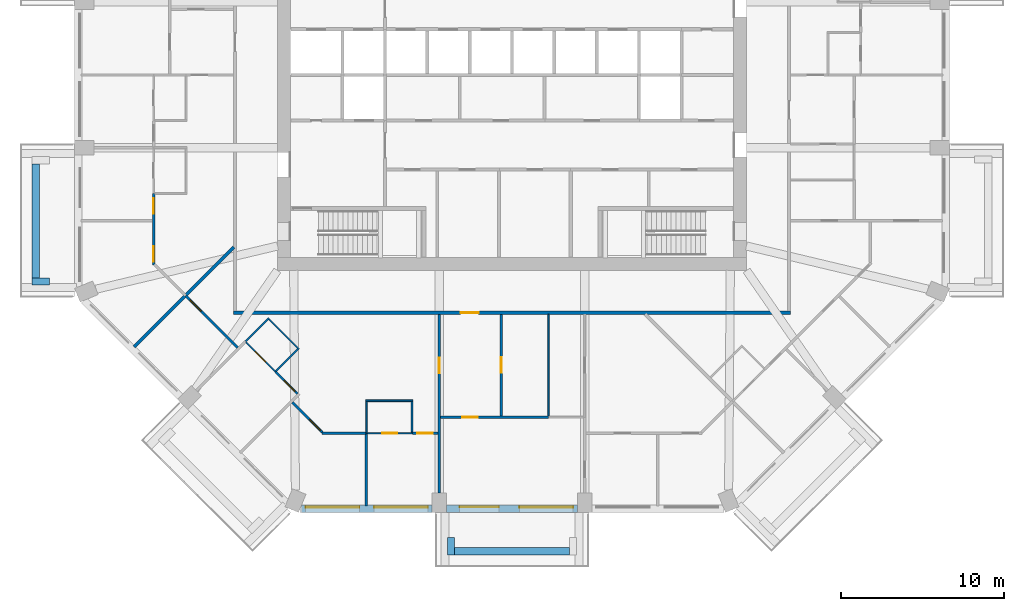
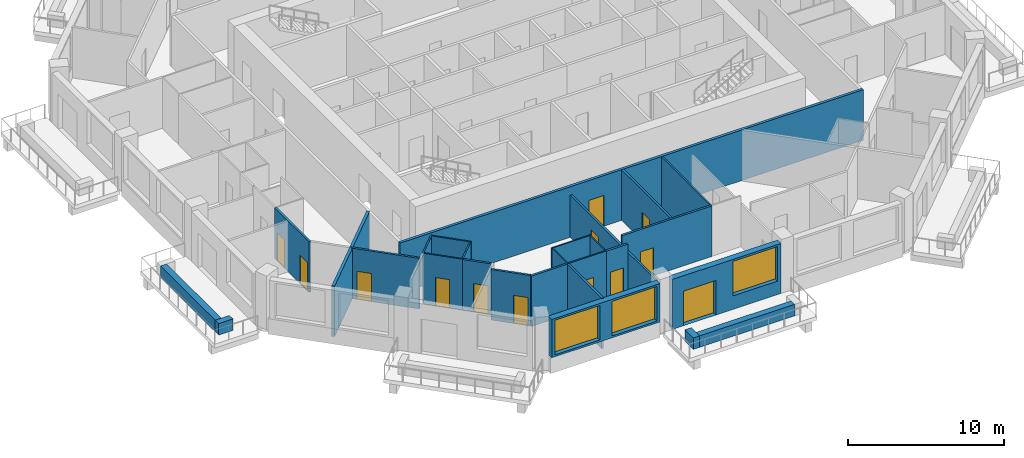
# One storey, part 3 of 13: 27 walls, 13 doors, 3 windows, 16 openings.
"""IFC4 building model written with IfcOpenShell, lengths in metres."""

from ifc_helpers import new_model, si_unit, direction, frame, frame_2d, origin, place, context, subcontext, project, spatial, rectangle, extrude, material, layer, layer_set, type_object, element, fill, save


model = new_model("IFC4")

# Units and contexts
model_context = context("Model", 3, precision=1e-05, world=origin(), true_north=direction((0.0, 1.0)))
body_context = subcontext(model_context, "Body", "Model", "MODEL_VIEW")
ifc_project = project(units=[si_unit("LENGTHUNIT", "METRE"), si_unit("AREAUNIT", "SQUARE_METRE"), si_unit("VOLUMEUNIT", "CUBIC_METRE"), si_unit("PLANEANGLEUNIT", "RADIAN"), si_unit("MASSUNIT", "GRAM", prefix="KILO")], contexts=[model_context])

# Site, building, storey
site_placement = place(None, origin())
site = spatial("IfcSite", under=ifc_project, at=site_placement, CompositionType="ELEMENT")
building_placement = place(site_placement, origin())
building = spatial("IfcBuilding", under=site, at=building_placement, Name="Msitu Wima Residences", CompositionType="ELEMENT")
storey_placement = place(building_placement, frame((0.0, 0.0, 135.89990234375)))
storey = spatial("IfcBuildingStorey", under=building, at=storey_placement, Name="L31", CompositionType="ELEMENT", Elevation=135.89990234375)

# Walls
ifc_material_1 = material(Name="Facing brick")
ifc_layer_1 = layer(ifc_material_1, 0.06494140625, Name="Facing brick")
ifc_material_2 = material(Name="Concrete C40/50", Category="concrete")
ifc_layer_2 = layer(ifc_material_2, 0.156005859375, Name="Concrete C40/50")
ifc_material_3 = material(Name="Waterproofing membrane")
ifc_layer_3 = layer(ifc_material_3, 0.00390625, Name="Waterproofing membrane")
ifc_material_4 = material(Name="Planting soil and planting")
ifc_layer_4 = layer(ifc_material_4, 0.22509765625, Name="Planting soil and planting")
ifc_layer_set_1 = layer_set([ifc_layer_1, ifc_layer_2, ifc_layer_3, ifc_layer_4], Name="Concrete C40/50")
wall_type_1 = type_object("IfcWallType", Name="Balcony planter PLANTER PL450", PredefinedType="USERDEFINED", material=ifc_layer_set_1)
wall_1_placement = place(storey_placement, frame((-29.22509765625, -5.468505859375, 0.0), z_axis=(0.0, 0.0, 1.0), x_axis=(0.0, -1.0, 0.0)))
element("IfcWall", 1, at=wall_1_placement, inside=storey, type_object=wall_type_1, Name="Balcony planter W2 L31", ObjectType="PLANTER", PredefinedType="USERDEFINED", context=body_context, shape_type="SweptSolid", body=[
    extrude(rectangle(XDim=6.9873046875, YDim=0.449951171875, at=frame_2d((3.49365234375, 0.0))), origin(), (0.0, 0.0, 1.0), 0.900146484375),
])
wall_2_placement = place(storey_placement, frame((-28.39990234375, -12.680908203125, 0.0), z_axis=(0.0, 0.0, 1.0), x_axis=(-1.0, 0.0, 0.0)))
element("IfcWall", 2, at=wall_2_placement, inside=storey, type_object=wall_type_1, Name="Balcony planter W2 L31", ObjectType="PLANTER", PredefinedType="USERDEFINED", context=body_context, shape_type="SweptSolid", body=[
    extrude(rectangle(XDim=1.050048828125, YDim=0.449951171875, at=frame_2d((0.52490234375, 0.0))), origin(), (0.0, 0.0, 1.0), 0.900146484375),
])
wall_3_placement = place(storey_placement, frame((-3.5185546875, -29.22509765625, 0.0), z_axis=(0.0, 0.0, 1.0), x_axis=(1.0, 0.0, 0.0)))
element("IfcWall", 3, at=wall_3_placement, inside=storey, type_object=wall_type_1, Name="Balcony planter S1 L31", ObjectType="PLANTER", PredefinedType="USERDEFINED", context=body_context, shape_type="SweptSolid", body=[
    extrude(rectangle(XDim=7.037109375, YDim=0.449951171875, at=frame_2d((3.5185546875, 0.0))), origin(), (0.0, 0.0, 1.0), 0.900146484375),
])
wall_4_placement = place(storey_placement, frame((-3.74365234375, -28.39990234375, 0.0), z_axis=(0.0, 0.0, 1.0), x_axis=(0.0, -1.0, 0.0)))
element("IfcWall", 4, at=wall_4_placement, inside=storey, type_object=wall_type_1, Name="Balcony planter S1 L31", ObjectType="PLANTER", PredefinedType="USERDEFINED", context=body_context, shape_type="SweptSolid", body=[
    extrude(rectangle(XDim=1.050048828125, YDim=0.449951171875, at=frame_2d((0.52490234375, 0.0))), origin(), (0.0, 0.0, 1.0), 0.900146484375),
])

# Wall, openings, windows
ifc_material_5 = material(Name="Brick (red buff mix)", Category="masonry")
ifc_layer_5 = layer(ifc_material_5, 0.449951171875)
ifc_layer_set_2 = layer_set([ifc_layer_5], Name="Brick (red buff mix)")
wall_type_2 = type_object("IfcWallType", Name="Brick infill wall BW450", PredefinedType="SOLIDWALL", material=ifc_layer_set_2)
wall_5_placement = place(storey_placement, frame((-12.918701171875, -26.625, 0.900146484375), z_axis=(0.0, 0.0, 1.0), x_axis=(1.0, 0.0, 0.0)))
wall_5 = element("IfcWall", 5, at=wall_5_placement, inside=storey, type_object=wall_type_2, Name="Brick infill wall L31 S0", PredefinedType="SOLIDWALL", context=body_context, shape_type="SweptSolid", body=[
    extrude(rectangle(XDim=8.0, YDim=0.449951171875, at=frame_2d((4.0, 0.0))), origin(), (0.0, 0.0, 1.0), 3.0),
])
opening_1_placement = place(wall_5_placement, frame((0.25, 0.0, 0.14990234375)))
opening_1 = element("IfcOpeningElement", 6, at=opening_1_placement, cuts=wall_5, Name="Opening W30-32.016", PredefinedType="OPENING", context=body_context, shape_type="SweptSolid", body=[
    extrude(rectangle(XDim=3.300048828125, YDim=2.699951171875, at=frame_2d((1.64990234375, 1.35009765625))), frame((0.0, 0.23486328125, 0.0), z_axis=(0.0, -1.0, 0.0), x_axis=(1.0, 0.0, 0.0)), (0.0, 0.0, 1.0), 0.469970703125),
])
opening_2_placement = place(wall_5_placement, frame((4.4501953125, 0.0, 0.14990234375)))
opening_2 = element("IfcOpeningElement", 7, at=opening_2_placement, cuts=wall_5, Name="Opening W30-32.017", PredefinedType="OPENING", context=body_context, shape_type="SweptSolid", body=[
    extrude(rectangle(XDim=3.300048828125, YDim=2.699951171875, at=frame_2d((1.64990234375, 1.35009765625))), frame((0.0, 0.23486328125, 0.0), z_axis=(0.0, -1.0, 0.0), x_axis=(1.0, 0.0, 0.0)), (0.0, 0.0, 1.0), 0.469970703125),
])
ifc_material_6 = material(Name="Anodised aluminium, bronze finish, clear low-emissivity double glazing", Category="aluminium")
window_type = type_object("IfcWindowType", Name="Window W3300x2700", PartitioningType="DOUBLE_PANEL_VERTICAL", PredefinedType="WINDOW", material=ifc_material_6)
window_1_placement = place(opening_1_placement, origin())
window_1 = element("IfcWindow", 8, at=window_1_placement, inside=storey, type_object=window_type, Name="Window L31 S0.1", OverallHeight=2.699951171875, OverallWidth=3.300048828125, PartitioningType="SINGLE_PANEL", PredefinedType="WINDOW", context=body_context, shape_type="SweptSolid", body=[
    extrude(rectangle(XDim=3.300048828125, YDim=2.699951171875, at=frame_2d((1.64990234375, 1.35009765625))), frame((0.0, 0.135009765625, 0.0), z_axis=(0.0, -1.0, 0.0), x_axis=(1.0, 0.0, 0.0)), (0.0, 0.0, 1.0), 0.06005859375),
])
fill(opening_1, window_1)
window_2_placement = place(opening_2_placement, origin())
window_2 = element("IfcWindow", 9, at=window_2_placement, inside=storey, type_object=window_type, Name="Window L31 S0.2", OverallHeight=2.699951171875, OverallWidth=3.300048828125, PartitioningType="SINGLE_PANEL", PredefinedType="WINDOW", context=body_context, shape_type="SweptSolid", body=[
    extrude(rectangle(XDim=3.300048828125, YDim=2.699951171875, at=frame_2d((1.64990234375, 1.35009765625))), frame((0.0, 0.135009765625, 0.0), z_axis=(0.0, -1.0, 0.0), x_axis=(1.0, 0.0, 0.0)), (0.0, 0.0, 1.0), 0.06005859375),
])
fill(opening_2, window_2)

# Wall, openings, door, window
wall_6_placement = place(storey_placement, frame((-4.0185546875, -26.625, 0.0), z_axis=(0.0, 0.0, 1.0), x_axis=(1.0, 0.0, 0.0)))
wall_6 = element("IfcWall", 10, at=wall_6_placement, inside=storey, type_object=wall_type_2, Name="Brick infill wall L31 S1", PredefinedType="SOLIDWALL", context=body_context, shape_type="SweptSolid", body=[
    extrude(rectangle(XDim=8.037109375, YDim=0.449951171875, at=frame_2d((4.0185546875, 0.0))), origin(), (0.0, 0.0, 1.0), 3.900146484375),
])
opening_3_placement = place(wall_6_placement, frame((0.809326171875, 0.0, 0.0)))
opening_3 = element("IfcOpeningElement", 11, at=opening_3_placement, cuts=wall_6, Name="Opening D30-32.006", PredefinedType="OPENING", context=body_context, shape_type="SweptSolid", body=[
    extrude(rectangle(XDim=2.39990234375, YDim=2.699951171875, at=frame_2d((1.199951171875, 1.35009765625))), frame((0.0, 0.23486328125, 0.0), z_axis=(0.0, -1.0, 0.0), x_axis=(1.0, 0.0, 0.0)), (0.0, 0.0, 1.0), 0.469970703125),
])
opening_4_placement = place(wall_6_placement, frame((4.46875, 0.0, 1.050048828125)))
opening_4 = element("IfcOpeningElement", 12, at=opening_4_placement, cuts=wall_6, Name="Opening W30-32.018", PredefinedType="OPENING", context=body_context, shape_type="SweptSolid", body=[
    extrude(rectangle(XDim=3.300048828125, YDim=2.699951171875, at=frame_2d((1.64990234375, 1.35009765625))), frame((0.0, 0.23486328125, 0.0), z_axis=(0.0, -1.0, 0.0), x_axis=(1.0, 0.0, 0.0)), (0.0, 0.0, 1.0), 0.469970703125),
])
door_type_1 = type_object("IfcDoorType", Name="Balcony door D2400x2700", OperationType="SLIDING_TO_LEFT", PredefinedType="DOOR", material=ifc_material_6)
door_1_placement = place(opening_3_placement, origin())
door_1 = element("IfcDoor", 13, at=door_1_placement, inside=storey, type_object=door_type_1, Name="Balcony door L31 S1", OperationType="SINGLE_SWING_LEFT", OverallHeight=2.699951171875, OverallWidth=2.39990234375, PredefinedType="DOOR", context=body_context, shape_type="SweptSolid", body=[
    extrude(rectangle(XDim=2.39990234375, YDim=2.699951171875, at=frame_2d((1.199951171875, 1.35009765625))), frame((0.0, 0.1298828125, 0.0), z_axis=(0.0, -1.0, 0.0), x_axis=(1.0, 0.0, 0.0)), (0.0, 0.0, 1.0), 0.050048828125),
])
fill(opening_3, door_1)
window_3_placement = place(opening_4_placement, origin())
window_3 = element("IfcWindow", 14, at=window_3_placement, inside=storey, type_object=window_type, Name="Window L31 S1.2", OverallHeight=2.699951171875, OverallWidth=3.300048828125, PartitioningType="SINGLE_PANEL", PredefinedType="WINDOW", context=body_context, shape_type="SweptSolid", body=[
    extrude(rectangle(XDim=3.300048828125, YDim=2.699951171875, at=frame_2d((1.64990234375, 1.35009765625))), frame((0.0, 0.135009765625, 0.0), z_axis=(0.0, -1.0, 0.0), x_axis=(1.0, 0.0, 0.0)), (0.0, 0.0, 1.0), 0.06005859375),
])
fill(opening_4, window_3)

# Wall, opening, door
ifc_material_7 = material(Name="Plaster")
ifc_layer_6 = layer(ifc_material_7, 0.011962890625, Name="Plaster")
ifc_material_8 = material(Name="Concrete blockwork", Category="masonry")
ifc_layer_7 = layer(ifc_material_8, 0.176025390625, Name="Concrete blockwork")
ifc_layer_8 = layer(ifc_material_7, 0.011962890625, Name="Plaster")
ifc_layer_set_3 = layer_set([ifc_layer_6, ifc_layer_7, ifc_layer_8], Name="Concrete blockwork")
wall_type_3 = type_object("IfcWallType", Name="Corridor wall FW200", PredefinedType="PARTITIONING", material=ifc_layer_set_3)
wall_7_placement = place(storey_placement, frame((-17.10009765625, -14.60009765625, 0.0), z_axis=(0.0, 0.0, 1.0), x_axis=(1.0, 0.0, 0.0)))
wall_7 = element("IfcWall", 15, at=wall_7_placement, inside=storey, type_object=wall_type_3, Name="Corridor wall", PredefinedType="PARTITIONING", context=body_context, shape_type="SweptSolid", body=[
    extrude(rectangle(XDim=34.2001953125, YDim=0.199951171875, at=frame_2d((17.10009765625, 0.0))), origin(), (0.0, 0.0, 1.0), 3.9501953125),
])
opening_5_placement = place(wall_7_placement, frame((13.949951171875, 0.0, 0.0)))
opening_5 = element("IfcOpeningElement", 16, at=opening_5_placement, cuts=wall_7, Name="Opening D30-32.013", PredefinedType="OPENING", context=body_context, shape_type="SweptSolid", body=[
    extrude(rectangle(XDim=1.10009765625, YDim=2.39990234375, at=frame_2d((0.550048828125, 1.199951171875))), frame((0.0, 0.10986328125, 0.0), z_axis=(0.0, -1.0, 0.0), x_axis=(1.0, 0.0, 0.0)), (0.0, 0.0, 1.0), 0.219970703125),
])
ifc_material_9 = material(Name="Timber flush door, fire resisting, self-closing", Category="wood")
door_type_2 = type_object("IfcDoorType", Name="Flat entrance door D01 1100x2400", OperationType="SINGLE_SWING_LEFT", PredefinedType="DOOR", material=ifc_material_9)
door_2_placement = place(opening_5_placement, origin())
door_2 = element("IfcDoor", 17, at=door_2_placement, inside=storey, type_object=door_type_2, Name="Flat entrance door", OperationType="SINGLE_SWING_RIGHT", OverallHeight=2.39990234375, OverallWidth=1.10009765625, PredefinedType="DOOR", context=body_context, shape_type="SweptSolid", body=[
    extrude(rectangle(XDim=1.10009765625, YDim=2.39990234375, at=frame_2d((0.550048828125, 1.199951171875))), frame((0.0, 0.02490234375, 0.0), z_axis=(0.0, -1.0, 0.0), x_axis=(1.0, 0.0, 0.0)), (0.0, 0.0, 1.0), 0.050048828125),
])
fill(opening_5, door_2)

# Wall, openings, doors
ifc_layer_9 = layer(ifc_material_7, 0.011962890625, Name="Plaster")
ifc_layer_10 = layer(ifc_material_8, 0.1259765625, Name="Concrete blockwork")
ifc_layer_11 = layer(ifc_material_7, 0.011962890625, Name="Plaster")
ifc_layer_set_4 = layer_set([ifc_layer_9, ifc_layer_10, ifc_layer_11], Name="Concrete blockwork")
wall_type_4 = type_object("IfcWallType", Name="Partition PW150", PredefinedType="PARTITIONING", material=ifc_layer_set_4)
wall_8_placement = place(storey_placement, frame((-22.0, -11.658447265625, 0.0), z_axis=(0.0, 0.0, 1.0), x_axis=(0.0, 1.0, 0.0)))
wall_8 = element("IfcWall", 18, at=wall_8_placement, inside=storey, type_object=wall_type_4, Name="Partition", PredefinedType="PARTITIONING", context=body_context, shape_type="SweptSolid", body=[
    extrude(rectangle(XDim=4.389892578125, YDim=0.14990234375, at=frame_2d((2.19482421875, 0.0))), origin(), (0.0, 0.0, 1.0), 3.9501953125),
])
opening_6_placement = place(wall_8_placement, frame((3.14990234375, 0.0, 0.0)))
opening_6 = element("IfcOpeningElement", 19, at=opening_6_placement, cuts=wall_8, Name="Opening D30-32.048", PredefinedType="OPENING", context=body_context, shape_type="SweptSolid", body=[
    extrude(rectangle(XDim=0.949951171875, YDim=2.199951171875, at=frame_2d((0.47509765625, 1.10009765625))), frame((0.0, 0.0849609375, 0.0), z_axis=(0.0, -1.0, 0.0), x_axis=(1.0, 0.0, 0.0)), (0.0, 0.0, 1.0), 0.169921875),
])
opening_7_placement = place(wall_8_placement, frame((0.199951171875, 0.0, 0.0)))
opening_7 = element("IfcOpeningElement", 20, at=opening_7_placement, cuts=wall_8, Name="Opening D30-32.054", PredefinedType="OPENING", context=body_context, shape_type="SweptSolid", body=[
    extrude(rectangle(XDim=0.949951171875, YDim=2.199951171875, at=frame_2d((0.47509765625, 1.10009765625))), frame((0.0, 0.0849609375, 0.0), z_axis=(0.0, -1.0, 0.0), x_axis=(1.0, 0.0, 0.0)), (0.0, 0.0, 1.0), 0.169921875),
])
ifc_material_10 = material(Name="Timber flush door", Category="wood")
door_type_3 = type_object("IfcDoorType", Name="Room door D12 950x2200", OperationType="SINGLE_SWING_LEFT", PredefinedType="DOOR", material=ifc_material_10)
door_3_placement = place(opening_6_placement, origin())
door_3 = element("IfcDoor", 21, at=door_3_placement, inside=storey, type_object=door_type_3, Name="Room door", OperationType="SINGLE_SWING_LEFT", OverallHeight=2.199951171875, OverallWidth=0.949951171875, PredefinedType="DOOR", context=body_context, shape_type="SweptSolid", body=[
    extrude(rectangle(XDim=0.949951171875, YDim=2.199951171875, at=frame_2d((0.47509765625, 1.10009765625))), frame((0.0, 0.02490234375, 0.0), z_axis=(0.0, -1.0, 0.0), x_axis=(1.0, 0.0, 0.0)), (0.0, 0.0, 1.0), 0.050048828125),
])
fill(opening_6, door_3)
door_4_placement = place(opening_7_placement, origin())
door_4 = element("IfcDoor", 22, at=door_4_placement, inside=storey, type_object=door_type_3, Name="Room door", OperationType="SINGLE_SWING_RIGHT", OverallHeight=2.199951171875, OverallWidth=0.949951171875, PredefinedType="DOOR", context=body_context, shape_type="SweptSolid", body=[
    extrude(rectangle(XDim=0.949951171875, YDim=2.199951171875, at=frame_2d((0.47509765625, 1.10009765625))), frame((0.0, 0.02490234375, 0.0), z_axis=(0.0, -1.0, 0.0), x_axis=(1.0, 0.0, 0.0)), (0.0, 0.0, 1.0), 0.050048828125),
])
fill(opening_7, door_4)

# Wall, opening, door
wall_9_placement = place(storey_placement, frame((-20.040283203125, -13.543212890625, 0.0), z_axis=(0.0, 0.0, 1.0), x_axis=(0.707133793192, -0.707079768149, 0.0)))
wall_9 = element("IfcWall", 23, at=wall_9_placement, inside=storey, type_object=wall_type_4, Name="Partition", PredefinedType="PARTITIONING", context=body_context, shape_type="SweptSolid", body=[
    extrude(rectangle(XDim=4.51904296875, YDim=0.14990234375, at=frame_2d((2.259521484375, 0.0))), origin(), (0.0, 0.0, 1.0), 3.9501953125),
])
opening_8_placement = place(wall_9_placement, frame((0.39990234375, 0.0, 0.0)))
opening_8 = element("IfcOpeningElement", 24, at=opening_8_placement, cuts=wall_9, Name="Opening D30-32.060", PredefinedType="OPENING", context=body_context, shape_type="SweptSolid", body=[
    extrude(rectangle(XDim=0.949951171875, YDim=2.199951171875, at=frame_2d((0.47509765625, 1.10009765625))), frame((0.0, 0.0849609375, 0.0), z_axis=(0.0, -1.0, 0.0), x_axis=(1.0, 0.0, 0.0)), (0.0, 0.0, 1.0), 0.169921875),
])
door_5_placement = place(opening_8_placement, origin())
door_5 = element("IfcDoor", 25, at=door_5_placement, inside=storey, type_object=door_type_3, Name="Room door", OperationType="SINGLE_SWING_RIGHT", OverallHeight=2.199951171875, OverallWidth=0.949951171875, PredefinedType="DOOR", context=body_context, shape_type="SweptSolid", body=[
    extrude(rectangle(XDim=0.949951171875, YDim=2.199951171875, at=frame_2d((0.47509765625, 1.10009765625))), frame((0.0, 0.02490234375, 0.0), z_axis=(0.0, -1.0, 0.0), x_axis=(1.0, 0.0, 0.0)), (0.0, 0.0, 1.0), 0.050048828125),
])
fill(opening_8, door_5)

wall_10_placement = place(storey_placement, frame((-14.514892578125, -18.219970703125, 0.0), z_axis=(0.0, 0.0, 1.0), x_axis=(0.707106781187, -0.707106781187, 0.0)))
wall_10 = element("IfcWall", 26, at=wall_10_placement, inside=storey, type_object=wall_type_4, Name="Partition", PredefinedType="PARTITIONING", context=body_context, shape_type="SweptSolid", body=[
    extrude(rectangle(XDim=1.8994140625, YDim=0.14990234375, at=frame_2d((0.94970703125, 0.0))), origin(), (0.0, 0.0, 1.0), 3.9501953125),
])
opening_9_placement = place(wall_10_placement, frame((0.75, 0.0, 0.0)))
opening_9 = element("IfcOpeningElement", 27, at=opening_9_placement, cuts=wall_10, Name="Opening D30-32.066", PredefinedType="OPENING", context=body_context, shape_type="SweptSolid", body=[
    extrude(rectangle(XDim=0.949951171875, YDim=2.199951171875, at=frame_2d((0.47509765625, 1.10009765625))), frame((0.0, 0.0849609375, 0.0), z_axis=(0.0, -1.0, 0.0), x_axis=(1.0, 0.0, 0.0)), (0.0, 0.0, 1.0), 0.169921875),
])
door_6_placement = place(opening_9_placement, origin())
door_6 = element("IfcDoor", 28, at=door_6_placement, inside=storey, type_object=door_type_3, Name="Room door", OperationType="SINGLE_SWING_LEFT", OverallHeight=2.199951171875, OverallWidth=0.949951171875, PredefinedType="DOOR", context=body_context, shape_type="SweptSolid", body=[
    extrude(rectangle(XDim=0.949951171875, YDim=2.199951171875, at=frame_2d((0.47509765625, 1.10009765625))), frame((0.0, 0.02490234375, 0.0), z_axis=(0.0, -1.0, 0.0), x_axis=(1.0, 0.0, 0.0)), (0.0, 0.0, 1.0), 0.050048828125),
])
fill(opening_9, door_6)

wall_11_placement = place(storey_placement, frame((-13.489990234375, -20.09326171875, 0.0), z_axis=(0.0, 0.0, 1.0), x_axis=(0.707060213517, -0.70715334579, 0.0)))
wall_11 = element("IfcWall", 29, at=wall_11_placement, inside=storey, type_object=wall_type_4, Name="Partition", PredefinedType="PARTITIONING", context=body_context, shape_type="SweptSolid", body=[
    extrude(rectangle(XDim=2.621337890625, YDim=0.14990234375, at=frame_2d((1.310546875, 0.0))), origin(), (0.0, 0.0, 1.0), 3.9501953125),
])
opening_10_placement = place(wall_11_placement, frame((1.5, 0.0, 0.0)))
opening_10 = element("IfcOpeningElement", 30, at=opening_10_placement, cuts=wall_11, Name="Opening D30-32.071", PredefinedType="OPENING", context=body_context, shape_type="SweptSolid", body=[
    extrude(rectangle(XDim=0.949951171875, YDim=2.199951171875, at=frame_2d((0.47509765625, 1.10009765625))), frame((0.0, 0.0849609375, 0.0), z_axis=(0.0, -1.0, 0.0), x_axis=(1.0, 0.0, 0.0)), (0.0, 0.0, 1.0), 0.169921875),
])
door_7_placement = place(opening_10_placement, origin())
door_7 = element("IfcDoor", 31, at=door_7_placement, inside=storey, type_object=door_type_3, Name="Room door", OperationType="SINGLE_SWING_RIGHT", OverallHeight=2.199951171875, OverallWidth=0.949951171875, PredefinedType="DOOR", context=body_context, shape_type="SweptSolid", body=[
    extrude(rectangle(XDim=0.949951171875, YDim=2.199951171875, at=frame_2d((0.47509765625, 1.10009765625))), frame((0.0, 0.02490234375, 0.0), z_axis=(0.0, -1.0, 0.0), x_axis=(1.0, 0.0, 0.0)), (0.0, 0.0, 1.0), 0.050048828125),
])
fill(opening_10, door_7)

# Walls
wall_12_placement = place(storey_placement, frame((-11.658447265625, -22.0, 0.0), z_axis=(0.0, 0.0, 1.0), x_axis=(1.0, 0.0, 0.0)))
element("IfcWall", 32, at=wall_12_placement, inside=storey, type_object=wall_type_4, Name="Partition", PredefinedType="PARTITIONING", context=body_context, shape_type="SweptSolid", body=[
    extrude(rectangle(XDim=2.701171875, YDim=0.14990234375, at=frame_2d((1.3505859375, 0.0))), origin(), (0.0, 0.0, 1.0), 3.9501953125),
])
wall_13_placement = place(storey_placement, frame((-8.937255859375, -26.455078125, 0.0), z_axis=(0.0, 0.0, 1.0), x_axis=(0.0, 1.0, 0.0)))
element("IfcWall", 33, at=wall_13_placement, inside=storey, type_object=wall_type_4, Name="Partition", PredefinedType="PARTITIONING", context=body_context, shape_type="SweptSolid", body=[
    extrude(rectangle(XDim=4.47509765625, YDim=0.14990234375, at=frame_2d((2.237548828125, 0.0))), origin(), (0.0, 0.0, 1.0), 3.9501953125),
])

# Wall, opening, door
wall_14_placement = place(storey_placement, frame((-6.1171875, -22.0, 0.0), z_axis=(0.0, 0.0, 1.0), x_axis=(1.0, 0.0, 0.0)))
wall_14 = element("IfcWall", 34, at=wall_14_placement, inside=storey, type_object=wall_type_4, Name="Partition", PredefinedType="PARTITIONING", context=body_context, shape_type="SweptSolid", body=[
    extrude(rectangle(XDim=1.573486328125, YDim=0.14990234375, at=frame_2d((0.78662109375, 0.0))), origin(), (0.0, 0.0, 1.0), 3.9501953125),
])
opening_11_placement = place(wall_14_placement, frame((0.300048828125, 0.0, 0.0)))
opening_11 = element("IfcOpeningElement", 35, at=opening_11_placement, cuts=wall_14, Name="Opening D30-32.063", PredefinedType="OPENING", context=body_context, shape_type="SweptSolid", body=[
    extrude(rectangle(XDim=0.949951171875, YDim=2.199951171875, at=frame_2d((0.47509765625, 1.10009765625))), frame((0.0, 0.0849609375, 0.0), z_axis=(0.0, -1.0, 0.0), x_axis=(1.0, 0.0, 0.0)), (0.0, 0.0, 1.0), 0.169921875),
])
door_8_placement = place(opening_11_placement, origin())
door_8 = element("IfcDoor", 36, at=door_8_placement, inside=storey, type_object=door_type_3, Name="Room door", OperationType="SINGLE_SWING_LEFT", OverallHeight=2.199951171875, OverallWidth=0.949951171875, PredefinedType="DOOR", context=body_context, shape_type="SweptSolid", body=[
    extrude(rectangle(XDim=0.949951171875, YDim=2.199951171875, at=frame_2d((0.47509765625, 1.10009765625))), frame((0.0, 0.02490234375, 0.0), z_axis=(0.0, -1.0, 0.0), x_axis=(1.0, 0.0, 0.0)), (0.0, 0.0, 1.0), 0.050048828125),
])
fill(opening_11, door_8)

wall_15_placement = place(storey_placement, frame((-4.46875, -25.64990234375, 0.0), z_axis=(0.0, 0.0, 1.0), x_axis=(0.0, 1.0, 0.0)))
wall_15 = element("IfcWall", 37, at=wall_15_placement, inside=storey, type_object=wall_type_4, Name="Partition", PredefinedType="PARTITIONING", context=body_context, shape_type="SweptSolid", body=[
    extrude(rectangle(XDim=10.949951171875, YDim=0.14990234375, at=frame_2d((5.47509765625, 0.0))), origin(), (0.0, 0.0, 1.0), 3.300048828125),
])
opening_12_placement = place(wall_15_placement, frame((7.35009765625, 0.0, 0.0)))
opening_12 = element("IfcOpeningElement", 38, at=opening_12_placement, cuts=wall_15, Name="Opening D30-32.059", PredefinedType="OPENING", context=body_context, shape_type="SweptSolid", body=[
    extrude(rectangle(XDim=0.949951171875, YDim=2.199951171875, at=frame_2d((0.47509765625, 1.10009765625))), frame((0.0, 0.0849609375, 0.0), z_axis=(0.0, -1.0, 0.0), x_axis=(1.0, 0.0, 0.0)), (0.0, 0.0, 1.0), 0.169921875),
])
door_9_placement = place(opening_12_placement, origin())
door_9 = element("IfcDoor", 39, at=door_9_placement, inside=storey, type_object=door_type_3, Name="Room door", OperationType="SINGLE_SWING_RIGHT", OverallHeight=2.199951171875, OverallWidth=0.949951171875, PredefinedType="DOOR", context=body_context, shape_type="SweptSolid", body=[
    extrude(rectangle(XDim=0.949951171875, YDim=2.199951171875, at=frame_2d((0.47509765625, 1.10009765625))), frame((0.0, 0.02490234375, 0.0), z_axis=(0.0, -1.0, 0.0), x_axis=(1.0, 0.0, 0.0)), (0.0, 0.0, 1.0), 0.050048828125),
])
fill(opening_12, door_9)

wall_16_placement = place(storey_placement, frame((-4.3935546875, -21.0, 0.0), z_axis=(0.0, 0.0, 1.0), x_axis=(1.0, 0.0, 0.0)))
wall_16 = element("IfcWall", 40, at=wall_16_placement, inside=storey, type_object=wall_type_4, Name="Partition", PredefinedType="PARTITIONING", context=body_context, shape_type="SweptSolid", body=[
    extrude(rectangle(XDim=6.64501953125, YDim=0.14990234375, at=frame_2d((3.322509765625, 0.0))), origin(), (0.0, 0.0, 1.0), 3.9501953125),
])
opening_13_placement = place(wall_16_placement, frame((1.35009765625, 0.0, 0.0)))
opening_13 = element("IfcOpeningElement", 41, at=opening_13_placement, cuts=wall_16, Name="Opening D30-32.061", PredefinedType="OPENING", context=body_context, shape_type="SweptSolid", body=[
    extrude(rectangle(XDim=0.949951171875, YDim=2.199951171875, at=frame_2d((0.47509765625, 1.10009765625))), frame((0.0, 0.0849609375, 0.0), z_axis=(0.0, -1.0, 0.0), x_axis=(1.0, 0.0, 0.0)), (0.0, 0.0, 1.0), 0.169921875),
])
door_10_placement = place(opening_13_placement, origin())
door_10 = element("IfcDoor", 42, at=door_10_placement, inside=storey, type_object=door_type_3, Name="Room door", OperationType="SINGLE_SWING_RIGHT", OverallHeight=2.199951171875, OverallWidth=0.949951171875, PredefinedType="DOOR", context=body_context, shape_type="SweptSolid", body=[
    extrude(rectangle(XDim=0.949951171875, YDim=2.199951171875, at=frame_2d((0.47509765625, 1.10009765625))), frame((0.0, 0.02490234375, 0.0), z_axis=(0.0, -1.0, 0.0), x_axis=(1.0, 0.0, 0.0)), (0.0, 0.0, 1.0), 0.050048828125),
])
fill(opening_13, door_10)

wall_17_placement = place(storey_placement, frame((-0.668701171875, -20.925048828125, 0.0), z_axis=(0.0, 0.0, 1.0), x_axis=(0.0, 1.0, 0.0)))
wall_17 = element("IfcWall", 43, at=wall_17_placement, inside=storey, type_object=wall_type_4, Name="Partition", PredefinedType="PARTITIONING", context=body_context, shape_type="SweptSolid", body=[
    extrude(rectangle(XDim=6.22509765625, YDim=0.14990234375, at=frame_2d((3.112548828125, 0.0))), origin(), (0.0, 0.0, 1.0), 3.9501953125),
])
opening_14_placement = place(wall_17_placement, frame((2.64990234375, 0.0, 0.0)))
opening_14 = element("IfcOpeningElement", 44, at=opening_14_placement, cuts=wall_17, Name="Opening D30-32.065", PredefinedType="OPENING", context=body_context, shape_type="SweptSolid", body=[
    extrude(rectangle(XDim=0.949951171875, YDim=2.199951171875, at=frame_2d((0.47509765625, 1.10009765625))), frame((0.0, 0.0849609375, 0.0), z_axis=(0.0, -1.0, 0.0), x_axis=(1.0, 0.0, 0.0)), (0.0, 0.0, 1.0), 0.169921875),
])
door_11_placement = place(opening_14_placement, origin())
door_11 = element("IfcDoor", 45, at=door_11_placement, inside=storey, type_object=door_type_3, Name="Room door", OperationType="SINGLE_SWING_LEFT", OverallHeight=2.199951171875, OverallWidth=0.949951171875, PredefinedType="DOOR", context=body_context, shape_type="SweptSolid", body=[
    extrude(rectangle(XDim=0.949951171875, YDim=2.199951171875, at=frame_2d((0.47509765625, 1.10009765625))), frame((0.0, 0.02490234375, 0.0), z_axis=(0.0, -1.0, 0.0), x_axis=(1.0, 0.0, 0.0)), (0.0, 0.0, 1.0), 0.050048828125),
])
fill(opening_14, door_11)

# Walls
ifc_layer_12 = layer(ifc_material_7, 0.011962890625, Name="Plaster")
ifc_material_11 = material(Name="Dense concrete blockwork", Category="masonry")
ifc_layer_13 = layer(ifc_material_11, 0.176025390625, Name="Dense concrete blockwork")
ifc_layer_14 = layer(ifc_material_7, 0.011962890625, Name="Plaster")
ifc_layer_set_5 = layer_set([ifc_layer_12, ifc_layer_13, ifc_layer_14], Name="Dense concrete blockwork")
wall_type_5 = type_object("IfcWallType", Name="Party wall PW200", PredefinedType="PARTITIONING", material=ifc_layer_set_5)
wall_18_placement = place(storey_placement, frame((-23.1904296875, -16.693359375, 0.0), z_axis=(0.0, 0.0, 1.0), x_axis=(0.707106781187, 0.707106781187, 0.0)))
element("IfcWall", 46, at=wall_18_placement, inside=storey, type_object=wall_type_5, Name="Party wall", PredefinedType="PARTITIONING", context=body_context, shape_type="SweptSolid", body=[
    extrude(rectangle(XDim=8.654541015625, YDim=0.199951171875, at=frame_2d((4.3271484375, 0.0))), origin(), (0.0, 0.0, 1.0), 3.9501953125),
])
ifc_material_12 = material(Name="Ceramic tiles")
ifc_layer_15 = layer(ifc_material_12, 0.008056640625, Name="Ceramic tiles")
ifc_material_13 = material(Name="Moisture-resistant board")
ifc_layer_16 = layer(ifc_material_13, 0.012451171875, Name="Moisture-resistant board")
ifc_material_14 = material(Name="Light-gauge stud framing with mineral wool")
ifc_layer_17 = layer(ifc_material_14, 0.06689453125, Name="Light-gauge stud framing with mineral wool")
ifc_layer_18 = layer(ifc_material_13, 0.012451171875, Name="Moisture-resistant board")
ifc_layer_set_6 = layer_set([ifc_layer_15, ifc_layer_16, ifc_layer_17, ifc_layer_18], Name="Light-gauge stud framing with mineral wool")
wall_type_6 = type_object("IfcWallType", Name="Wet wall PW100", PredefinedType="PARTITIONING", material=ifc_layer_set_6)
wall_19_placement = place(storey_placement, frame((-16.353271484375, -16.353271484375, 0.0), z_axis=(0.0, 0.0, 1.0), x_axis=(0.707106781187, 0.707106781187, 0.0)))
element("IfcWall", 47, at=wall_19_placement, inside=storey, type_object=wall_type_6, Name="Wet wall", PredefinedType="PARTITIONING", context=body_context, shape_type="SweptSolid", body=[
    extrude(rectangle(XDim=2.0302734375, YDim=0.10009765625, at=frame_2d((1.01513671875, 0.0))), origin(), (0.0, 0.0, 1.0), 3.9501953125),
])

# Wall, opening, door
wall_20_placement = place(storey_placement, frame((-16.33203125, -16.40283203125, 0.0), z_axis=(0.0, 0.0, 1.0), x_axis=(0.707106781187, -0.707106781187, 0.0)))
wall_20 = element("IfcWall", 48, at=wall_20_placement, inside=storey, type_object=wall_type_6, Name="Wet wall", PredefinedType="PARTITIONING", context=body_context, shape_type="SweptSolid", body=[
    extrude(rectangle(XDim=2.56982421875, YDim=0.10009765625, at=frame_2d((1.284912109375, 0.0))), origin(), (0.0, 0.0, 1.0), 3.9501953125),
])
opening_15_placement = place(wall_20_placement, frame((0.800048828125, 0.0, 0.0)))
opening_15 = element("IfcOpeningElement", 49, at=opening_15_placement, cuts=wall_20, Name="Opening D30-32.067", PredefinedType="OPENING", context=body_context, shape_type="SweptSolid", body=[
    extrude(rectangle(XDim=0.89990234375, YDim=2.199951171875, at=frame_2d((0.449951171875, 1.10009765625))), frame((0.0, 0.06005859375, 0.0), z_axis=(0.0, -1.0, 0.0), x_axis=(1.0, 0.0, 0.0)), (0.0, 0.0, 1.0), 0.1201171875),
])
ifc_material_15 = material(Name="Timber flush door, moisture resistant", Category="wood")
door_type_4 = type_object("IfcDoorType", Name="Bathroom door D03 900x2200", OperationType="SINGLE_SWING_LEFT", PredefinedType="DOOR", material=ifc_material_15)
door_12_placement = place(opening_15_placement, origin())
door_12 = element("IfcDoor", 50, at=door_12_placement, inside=storey, type_object=door_type_4, Name="Bathroom door", OperationType="SINGLE_SWING_LEFT", OverallHeight=2.199951171875, OverallWidth=0.89990234375, PredefinedType="DOOR", context=body_context, shape_type="SweptSolid", body=[
    extrude(rectangle(XDim=0.89990234375, YDim=2.199951171875, at=frame_2d((0.449951171875, 1.10009765625))), frame((0.0, 0.02490234375, 0.0), z_axis=(0.0, -1.0, 0.0), x_axis=(1.0, 0.0, 0.0)), (0.0, 0.0, 1.0), 0.050048828125),
])
fill(opening_15, door_12)

# Walls
wall_21_placement = place(storey_placement, frame((-14.917724609375, -14.988525390625, 0.0), z_axis=(0.0, 0.0, 1.0), x_axis=(0.707059830104, -0.707153729152, 0.0)))
element("IfcWall", 51, at=wall_21_placement, inside=storey, type_object=wall_type_6, Name="Wet wall", PredefinedType="PARTITIONING", context=body_context, shape_type="SweptSolid", body=[
    extrude(rectangle(XDim=2.60009765625, YDim=0.10009765625, at=frame_2d((1.300048828125, 0.0))), origin(), (0.0, 0.0, 1.0), 3.9501953125),
])
wall_22_placement = place(storey_placement, frame((-14.49365234375, -18.17041015625, 0.0), z_axis=(0.0, 0.0, 1.0), x_axis=(0.707171031496, 0.707042525039, 0.0)))
element("IfcWall", 52, at=wall_22_placement, inside=storey, type_object=wall_type_6, Name="Wet wall", PredefinedType="PARTITIONING", context=body_context, shape_type="SweptSolid", body=[
    extrude(rectangle(XDim=1.89990234375, YDim=0.10009765625, at=frame_2d((0.949951171875, 0.0))), origin(), (0.0, 0.0, 1.0), 3.9501953125),
])

# Wall, opening, door
wall_23_placement = place(storey_placement, frame((-8.957275390625, -22.0, 0.0), z_axis=(0.0, 0.0, 1.0), x_axis=(1.0, 0.0, 0.0)))
wall_23 = element("IfcWall", 53, at=wall_23_placement, inside=storey, type_object=wall_type_6, Name="Wet wall", PredefinedType="PARTITIONING", context=body_context, shape_type="SweptSolid", body=[
    extrude(rectangle(XDim=2.840087890625, YDim=0.10009765625, at=frame_2d((1.419921875, 0.0))), origin(), (0.0, 0.0, 1.0), 3.9501953125),
])
opening_16_placement = place(wall_23_placement, frame((1.0, 0.0, 0.0)))
opening_16 = element("IfcOpeningElement", 54, at=opening_16_placement, cuts=wall_23, Name="Opening D30-32.064", PredefinedType="OPENING", context=body_context, shape_type="SweptSolid", body=[
    extrude(rectangle(XDim=0.89990234375, YDim=2.199951171875, at=frame_2d((0.449951171875, 1.10009765625))), frame((0.0, 0.06005859375, 0.0), z_axis=(0.0, -1.0, 0.0), x_axis=(1.0, 0.0, 0.0)), (0.0, 0.0, 1.0), 0.1201171875),
])
door_13_placement = place(opening_16_placement, origin())
door_13 = element("IfcDoor", 55, at=door_13_placement, inside=storey, type_object=door_type_4, Name="Bathroom door", OperationType="SINGLE_SWING_RIGHT", OverallHeight=2.199951171875, OverallWidth=0.89990234375, PredefinedType="DOOR", context=body_context, shape_type="SweptSolid", body=[
    extrude(rectangle(XDim=0.89990234375, YDim=2.199951171875, at=frame_2d((0.449951171875, 1.10009765625))), frame((0.0, 0.02490234375, 0.0), z_axis=(0.0, -1.0, 0.0), x_axis=(1.0, 0.0, 0.0)), (0.0, 0.0, 1.0), 0.050048828125),
])
fill(opening_16, door_13)

# Walls
wall_24_placement = place(storey_placement, frame((-8.937255859375, -21.97998046875, 0.0), z_axis=(0.0, 0.0, 1.0), x_axis=(0.0, 1.0, 0.0)))
element("IfcWall", 56, at=wall_24_placement, inside=storey, type_object=wall_type_6, Name="Wet wall", PredefinedType="PARTITIONING", context=body_context, shape_type="SweptSolid", body=[
    extrude(rectangle(XDim=1.929931640625, YDim=0.10009765625, at=frame_2d((0.96484375, 0.0))), origin(), (0.0, 0.0, 1.0), 3.9501953125),
])
wall_25_placement = place(storey_placement, frame((-8.9873046875, -20.0, 0.0), z_axis=(0.0, 0.0, 1.0), x_axis=(1.0, 0.0, 0.0)))
element("IfcWall", 57, at=wall_25_placement, inside=storey, type_object=wall_type_6, Name="Wet wall", PredefinedType="PARTITIONING", context=body_context, shape_type="SweptSolid", body=[
    extrude(rectangle(XDim=2.900146484375, YDim=0.10009765625, at=frame_2d((1.4501953125, 0.0))), origin(), (0.0, 0.0, 1.0), 3.9501953125),
])
wall_26_placement = place(storey_placement, frame((-6.13720703125, -21.925048828125, 0.0), z_axis=(0.0, 0.0, 1.0), x_axis=(0.0, 1.0, 0.0)))
element("IfcWall", 58, at=wall_26_placement, inside=storey, type_object=wall_type_6, Name="Wet wall", PredefinedType="PARTITIONING", context=body_context, shape_type="SweptSolid", body=[
    extrude(rectangle(XDim=1.875, YDim=0.10009765625, at=frame_2d((0.9375, 0.0))), origin(), (0.0, 0.0, 1.0), 3.9501953125),
])
wall_27_placement = place(storey_placement, frame((2.2314453125, -20.925048828125, 0.0), z_axis=(0.0, 0.0, 1.0), x_axis=(0.0, 1.0, 0.0)))
element("IfcWall", 59, at=wall_27_placement, inside=storey, type_object=wall_type_6, Name="Wet wall", PredefinedType="PARTITIONING", context=body_context, shape_type="SweptSolid", body=[
    extrude(rectangle(XDim=6.22509765625, YDim=0.10009765625, at=frame_2d((3.112548828125, 0.0))), origin(), (0.0, 0.0, 1.0), 3.9501953125),
])

save(model, "model.ifc")
